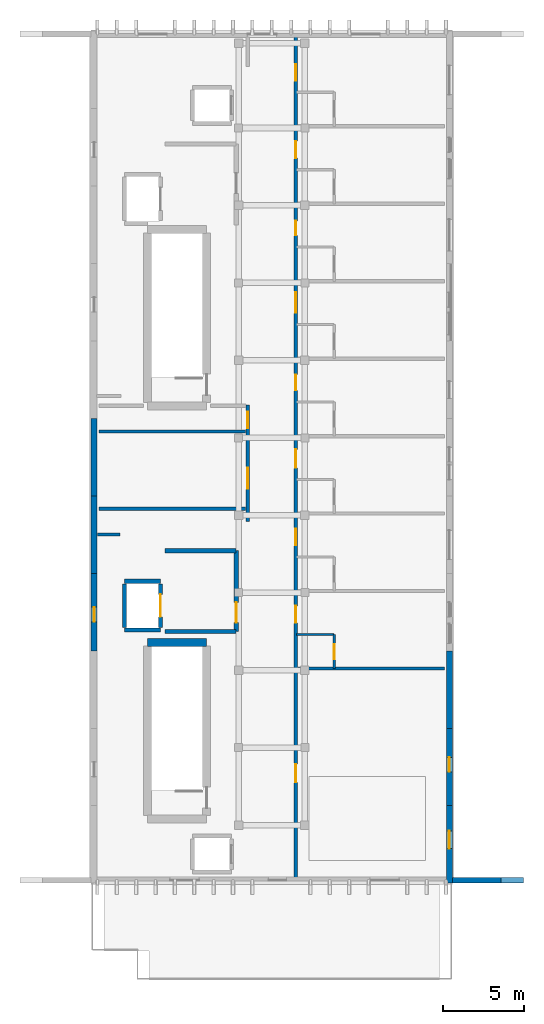
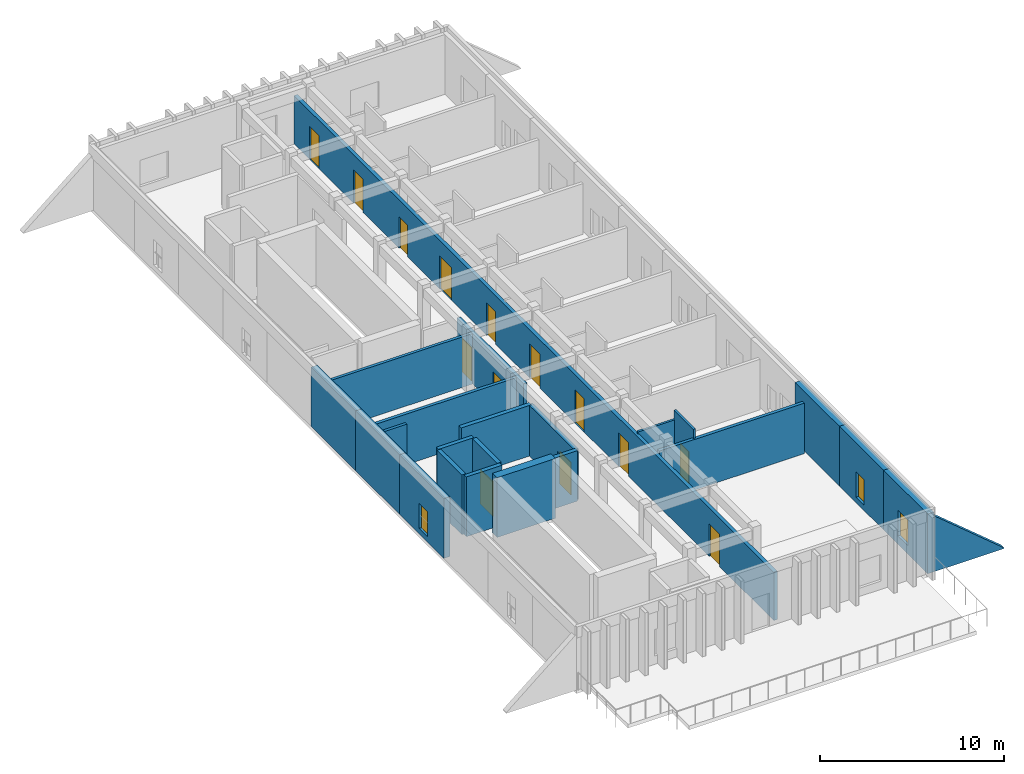
# One storey, part 2 of 7: 23 walls, 14 doors, 3 windows, 17 openings.
"""IFC4 building model written with IfcOpenShell, lengths in metres."""

import ifcopenshell
import ifcopenshell.guid

model = None  # the IFC model being written
_history = None  # IfcOwnerHistory: only IFC2X3 demands one
_inside = {}  # id of a spatial element -> (the spatial element, [elements in it])
_under = {}  # id of a project, library or spatial element -> (it, [spatial elements below it])
_declared = {}  # id of a project -> (the project, [libraries it declares])
_typed = {}  # id of a type object -> (the type object, [elements of that type])
_made_of = {}  # id of a material, layer set ... -> (it, [elements and type objects made of it])


def new_model(schema):
    """Start an empty IFC model of exactly this schema.

    Asked for "IFC4X3", IfcOpenShell would pick the latest addendum, in which some entities
    have other attributes; the version numbers below select the first issue.
    IFC2X3 requires an IfcOwnerHistory on every rooted entity: one is made here for all.
    """
    global model, _history
    if schema == "IFC4X3":
        model = ifcopenshell.file(schema_version=(4, 3, 0, 0))
    else:
        model = ifcopenshell.file(schema=schema)
    _inside.clear()
    _under.clear()
    _declared.clear()
    _typed.clear()
    _made_of.clear()
    _history = None
    if model.schema == "IFC2X3":
        org = make("IfcOrganization", Name="unknown")
        user = make(
            "IfcPersonAndOrganization",
            ThePerson=make("IfcPerson", FamilyName="unknown"),
            TheOrganization=org,
        )
        app = make(
            "IfcApplication",
            ApplicationDeveloper=org,
            Version="unknown",
            ApplicationFullName="unknown",
            ApplicationIdentifier="unknown",
        )
        _history = make(
            "IfcOwnerHistory",
            OwningUser=user,
            OwningApplication=app,
            ChangeAction="ADDED",
            CreationDate=0,
        )
    return model


def make(cls, **values):
    """One entity of the class cls with the attributes given. An attribute that is None is left unset."""
    return model.create_entity(
        cls, **{name: value for name, value in values.items() if value is not None}
    )


def rooted(cls, **values):
    """An entity with a GlobalId (a new one), such as an element, a storey or a relation."""
    return make(cls, GlobalId=ifcopenshell.guid.new(), OwnerHistory=_history, **values)


def si_unit(unit_type, name, prefix=None):
    """IfcSIUnit, for example si_unit("LENGTHUNIT", "METRE", prefix="MILLI")."""
    return make("IfcSIUnit", UnitType=unit_type, Prefix=prefix, Name=name)


def assignment(units):
    """IfcUnitAssignment: the units of a project."""
    return None if units is None else make("IfcUnitAssignment", Units=units)


def point(xyz):
    """IfcCartesianPoint."""
    return None if xyz is None else make("IfcCartesianPoint", Coordinates=xyz)


def direction(xyz):
    """IfcDirection."""
    return None if xyz is None else make("IfcDirection", DirectionRatios=xyz)


def frame(location, z_axis=None, x_axis=None):
    """IfcAxis2Placement3D, a coordinate frame: its origin and axes. An axis left out is left unset."""
    return make(
        "IfcAxis2Placement3D",
        Location=point(location),
        Axis=direction(z_axis),
        RefDirection=direction(x_axis),
    )


def frame_2d(location, x_axis=None):
    """IfcAxis2Placement2D, a coordinate frame in the plane: its origin and x axis."""
    return make(
        "IfcAxis2Placement2D", Location=point(location), RefDirection=direction(x_axis)
    )


def origin():
    """The frame at (0, 0, 0) with its axes left unset."""
    return frame((0.0, 0.0, 0.0))


def place(relative_to, where):
    """IfcLocalPlacement: puts the frame where relative to a parent placement (None: the world)."""
    return make(
        "IfcLocalPlacement", PlacementRelTo=relative_to, RelativePlacement=where
    )


def context(
    kind, dimensions, precision=None, world=None, true_north=None, identifier=None
):
    """IfcGeometricRepresentationContext, for example the 3D "Model" context."""
    return make(
        "IfcGeometricRepresentationContext",
        ContextIdentifier=identifier,
        ContextType=kind,
        CoordinateSpaceDimension=dimensions,
        Precision=precision,
        WorldCoordinateSystem=world,
        TrueNorth=true_north,
    )


def subcontext(parent, identifier, kind, view, scale=None):
    """IfcGeometricRepresentationSubContext, for example "Body" below "Model"."""
    return make(
        "IfcGeometricRepresentationSubContext",
        ContextIdentifier=identifier,
        ContextType=kind,
        ParentContext=parent,
        TargetScale=scale,
        TargetView=view,
    )


def project(units=None, contexts=None):
    """IfcProject with its units and contexts."""
    return rooted(
        "IfcProject",
        Name="project",
        RepresentationContexts=contexts,
        UnitsInContext=assignment(units),
    )


def spatial(cls, under=None, at=None, **own):
    """A site, building, storey or space (cls), placed at a placement, below another one or the project."""
    s = rooted(cls, ObjectPlacement=at, **own)
    if under is not None:
        _under.setdefault(under.id(), (under, []))[1].append(s)
    return s


def polyline(points):
    """IfcPolyline through the points."""
    return make("IfcPolyline", Points=[point(p) for p in points])


def profile(cls, at=None, kind="AREA", **sizes):
    """A parametric profile (cls). Its sizes go by their IFC names, for example OverallWidth=200.0."""
    return make(cls, ProfileType=kind, Position=at, **sizes)


def rectangle(**sizes):
    """IfcRectangleProfileDef."""
    return profile("IfcRectangleProfileDef", **sizes)


def outline(outer, holes=None, kind="AREA"):
    """IfcArbitraryClosedProfileDef: a profile drawn as a closed curve; with holes, ...WithVoids."""
    if holes is None:
        return make("IfcArbitraryClosedProfileDef", ProfileType=kind, OuterCurve=outer)
    return make(
        "IfcArbitraryProfileDefWithVoids",
        ProfileType=kind,
        OuterCurve=outer,
        InnerCurves=holes,
    )


def extrude(swept, where, along, depth):
    """IfcExtrudedAreaSolid: the profile swept, set in the frame where, extruded along a direction by depth."""
    return make(
        "IfcExtrudedAreaSolid",
        SweptArea=swept,
        Position=where,
        ExtrudedDirection=direction(along),
        Depth=depth,
    )


def shape(context_of_items, identifier, shape_type, items):
    """IfcShapeRepresentation: the items that make up one representation, for example the "Body"."""
    return make(
        "IfcShapeRepresentation",
        ContextOfItems=context_of_items,
        RepresentationIdentifier=identifier,
        RepresentationType=shape_type,
        Items=items,
    )


def material(Name=None, Category=None):
    """IfcMaterial."""
    return make("IfcMaterial", Name=Name, Category=Category)


def layer(
    of_material, thickness, ventilated=None, Name=None, Category=None, Priority=None
):
    """IfcMaterialLayer: one layer of a wall or slab, of a material (None: an air gap)."""
    return make(
        "IfcMaterialLayer",
        Material=of_material,
        LayerThickness=thickness,
        IsVentilated=ventilated,
        Name=Name,
        Category=Category,
        Priority=Priority,
    )


def layer_set(layers, Name=None):
    """IfcMaterialLayerSet."""
    return make("IfcMaterialLayerSet", MaterialLayers=layers, LayerSetName=Name)


def made_of(thing, what):
    """Note that an element or type object is made of a material, layer set ...; save() writes the relation."""
    if what is not None:
        _made_of.setdefault(what.id(), (what, []))[1].append(thing)
    return thing


def type_object(cls, material=None, **own):
    """A type object (cls), such as IfcWallType, which elements share."""
    return made_of(rooted(cls, **own), material)


def element(
    cls,
    number,
    at=None,
    inside=None,
    cuts=None,
    type_object=None,
    material=None,
    context=None,
    identifier="Body",
    shape_type=None,
    held_by="IfcProductDefinitionShape",
    body=None,
    shapes=None,
    **own,
):
    """One element of the class cls, such as IfcWall. Its Tag is "e" and its number.

    at: its placement. inside: the storey or other place that contains it. cuts: it is an
    opening in that element (IfcRelVoidsElement). A single representation is given by context,
    identifier, shape_type and body (its items); several are given by shapes. held_by: the class
    of the entity that holds the representations. save() writes the other relations.
    """
    e = rooted(cls, Tag="e%d" % number, ObjectPlacement=at, **own)
    if body is not None:
        shapes = [shape(context, identifier, shape_type, body)]
    if shapes is not None:
        e.Representation = make(held_by, Representations=shapes)
    if inside is not None:
        _inside.setdefault(inside.id(), (inside, []))[1].append(e)
    if cuts is not None:
        rooted(
            "IfcRelVoidsElement", RelatingBuildingElement=cuts, RelatedOpeningElement=e
        )
    if type_object is not None:
        _typed.setdefault(type_object.id(), (type_object, []))[1].append(e)
    return made_of(e, material)


def fill(opening, filler):
    """IfcRelFillsElement: the door or window that sits in an opening."""
    return rooted(
        "IfcRelFillsElement",
        RelatingOpeningElement=opening,
        RelatedBuildingElement=filler,
    )


def aggregate(whole, parts):
    """IfcRelAggregates: a whole, such as a stair, and the parts it consists of."""
    return rooted("IfcRelAggregates", RelatingObject=whole, RelatedObjects=parts)


def save(model, path):
    """Write the relations noted so far, then the file.

    IfcRelAggregates (storeys below a building ...), IfcRelContainedInSpatialStructure (elements
    in a storey), IfcRelDefinesByType, IfcRelAssociatesMaterial and IfcRelDeclares: one each for
    every whole, place, type object, material and project.
    """
    for whole, parts in _under.values():
        aggregate(whole, parts)
    for where, things in _inside.values():
        rooted(
            "IfcRelContainedInSpatialStructure",
            RelatedElements=things,
            RelatingStructure=where,
        )
    for kind, things in _typed.values():
        rooted("IfcRelDefinesByType", RelatedObjects=things, RelatingType=kind)
    for what, things in _made_of.values():
        rooted("IfcRelAssociatesMaterial", RelatedObjects=things, RelatingMaterial=what)
    for by, libraries in _declared.values():
        rooted("IfcRelDeclares", RelatingContext=by, RelatedDefinitions=libraries)
    model.write(path)


model = new_model("IFC4")

# Units and contexts
model_context = context("Model", 3, precision=1e-05, world=origin(), true_north=direction((0.0, 1.0)))
body_context = subcontext(model_context, "Body", "Model", "MODEL_VIEW")
ifc_project = project(units=[si_unit("LENGTHUNIT", "METRE"), si_unit("AREAUNIT", "SQUARE_METRE"), si_unit("VOLUMEUNIT", "CUBIC_METRE"), si_unit("PLANEANGLEUNIT", "RADIAN"), si_unit("MASSUNIT", "GRAM", prefix="KILO")], contexts=[model_context])

# Site, building, storey
site_placement = place(None, origin())
site = spatial("IfcSite", under=ifc_project, at=site_placement, CompositionType="ELEMENT")
building_placement = place(site_placement, origin())
building = spatial("IfcBuilding", under=site, at=building_placement, Name="Nakhvara Creek Congress Hotel", CompositionType="ELEMENT")
storey_placement = place(building_placement, frame((0.0, 0.0, 50.39990234375)))
storey = spatial("IfcBuildingStorey", under=building, at=storey_placement, Name="L12", CompositionType="ELEMENT", Elevation=50.39990234375)

# Wall
ifc_material_1 = material(Name="Concrete C50/60", Category="concrete")
ifc_layer_1 = layer(ifc_material_1, 0.5)
ifc_layer_set_1 = layer_set([ifc_layer_1], Name="Concrete C50/60")
wall_type_1 = type_object("IfcWallType", Name="W-CORE-500", PredefinedType="SHEAR", material=ifc_layer_set_1)
wall_1_placement = place(storey_placement, frame((156.699951171875, 88.1201171875, 0.0), z_axis=(0.0, 0.0, 1.0), x_axis=(1.0, 0.0, 0.0)))
element("IfcWall", 1, at=wall_1_placement, inside=storey, type_object=wall_type_1, Name="Core Shear Wall WS01-CWALL-L12-0254", PredefinedType="SHEAR", context=body_context, shape_type="SweptSolid", body=[
    extrude(rectangle(XDim=3.670166015625, YDim=0.5, at=frame_2d((1.8349609375, 0.0))), origin(), (0.0, 0.0, 1.0), 3.960205078125),
])

# Wall, openings, doors
ifc_material_2 = material(Name="Gypsum acoustic board on steel stud", Category="steel")
ifc_layer_2 = layer(ifc_material_2, 0.219970703125)
ifc_layer_set_2 = layer_set([ifc_layer_2], Name="Gypsum acoustic board on steel stud")
wall_type_2 = type_object("IfcWallType", Name="W-CORR-220", PredefinedType="PARTITIONING", material=ifc_layer_set_2)
wall_2_placement = place(storey_placement, frame((162.919921875, 95.60009765625, 0.0), z_axis=(0.0, 0.0, 1.0), x_axis=(0.0, 1.0, 0.0)))
wall_2 = element("IfcWall", 2, at=wall_2_placement, inside=storey, type_object=wall_type_2, Name="Interior Wall WP11-IW-L12-0793", PredefinedType="PARTITIONING", context=body_context, shape_type="SweptSolid", body=[
    extrude(rectangle(XDim=7.219970703125, YDim=0.219970703125, at=frame_2d((3.60986328125, 0.0))), origin(), (0.0, 0.0, 1.0), 3.35205078125),
])
opening_1_placement = place(wall_2_placement, frame((2.050048828125, 0.0, 0.0)))
opening_1 = element("IfcOpeningElement", 3, at=opening_1_placement, cuts=wall_2, Name="Opening ID07", PredefinedType="OPENING", context=body_context, shape_type="SweptSolid", body=[
    extrude(rectangle(XDim=1.280029296875, YDim=2.159912109375, at=frame_2d((0.64013671875, 1.080078125))), frame((0.0, 0.1220703125, 0.0), z_axis=(0.0, -1.0, 0.0), x_axis=(1.0, 0.0, 0.0)), (0.0, 0.0, 1.0), 0.243896484375),
])
opening_2_placement = place(wall_2_placement, frame((5.800048828125, 0.0, 0.0)))
opening_2 = element("IfcOpeningElement", 4, at=opening_2_placement, cuts=wall_2, Name="Opening GD01", PredefinedType="OPENING", context=body_context, shape_type="SweptSolid", body=[
    extrude(rectangle(XDim=1.02001953125, YDim=2.199951171875, at=frame_2d((0.510009765625, 1.10009765625))), frame((0.0, 0.1220703125, 0.0), z_axis=(0.0, -1.0, 0.0), x_axis=(1.0, 0.0, 0.0)), (0.0, 0.0, 1.0), 0.243896484375),
])
ifc_material_3 = material(Name="Brushed stainless-clad BOH door")
door_type_1 = type_object("IfcDoorType", Name="DT-BOH-128", OperationType="NOTDEFINED", PredefinedType="DOOR", material=ifc_material_3)
door_1_placement = place(opening_1_placement, frame((1.280029296875, 0.0, 0.0), z_axis=(0.0, 0.0, 1.0), x_axis=(-1.0, 0.0, 0.0)))
door_1 = element("IfcDoor", 5, at=door_1_placement, inside=storey, type_object=door_type_1, Name="Interior Door ID07-0567", OperationType="SINGLE_SWING_RIGHT", OverallHeight=2.159912109375, OverallWidth=1.280029296875, PredefinedType="DOOR", context=body_context, shape_type="SweptSolid", body=[
    extrude(rectangle(XDim=1.280029296875, YDim=2.159912109375, at=frame_2d((0.64013671875, 1.080078125))), frame((0.0, 0.02490234375, 0.0), z_axis=(0.0, -1.0, 0.0), x_axis=(1.0, 0.0, 0.0)), (0.0, 0.0, 1.0), 0.050048828125),
])
fill(opening_1, door_1)
ifc_material_4 = material(Name="Walnut hardwood timber fire door", Category="wood")
door_type_2 = type_object("IfcDoorType", Name="DT-GUEST-102", OperationType="NOTDEFINED", PredefinedType="DOOR", material=ifc_material_4)
door_2_placement = place(opening_2_placement, frame((1.02001953125, 0.0, 0.0), z_axis=(0.0, 0.0, 1.0), x_axis=(-1.0, 0.0, 0.0)))
door_2 = element("IfcDoor", 6, at=door_2_placement, inside=storey, type_object=door_type_2, Name="Interior Door GD01-0568", OperationType="SINGLE_SWING_LEFT", OverallHeight=2.199951171875, OverallWidth=1.02001953125, PredefinedType="DOOR", context=body_context, shape_type="SweptSolid", body=[
    extrude(rectangle(XDim=1.02001953125, YDim=2.199951171875, at=frame_2d((0.510009765625, 1.10009765625))), frame((0.0, 0.02490234375, 0.0), z_axis=(0.0, -1.0, 0.0), x_axis=(1.0, 0.0, 0.0)), (0.0, 0.0, 1.0), 0.050048828125),
])
fill(opening_2, door_2)

wall_3_placement = place(storey_placement, frame((165.8798828125, 73.550048828125, 0.0), z_axis=(0.0, 0.0, 1.0), x_axis=(0.0, 1.0, 0.0)))
wall_3 = element("IfcWall", 7, at=wall_3_placement, inside=storey, type_object=wall_type_2, Name="Interior Wall WP11-IW-L12-0795", PredefinedType="PARTITIONING", context=body_context, shape_type="SweptSolid", body=[
    extrude(rectangle(XDim=52.099853515625, YDim=0.219970703125, at=frame_2d((26.0498046875, 0.0))), origin(), (0.0, 0.0, 1.0), 3.2021484375),
])
opening_3_placement = place(wall_3_placement, frame((5.89990234375, 0.0, 0.0)))
opening_3 = element("IfcOpeningElement", 8, at=opening_3_placement, cuts=wall_3, Name="Opening BD01", PredefinedType="OPENING", context=body_context, shape_type="SweptSolid", body=[
    extrude(rectangle(XDim=1.1201171875, YDim=2.14990234375, at=frame_2d((0.56005859375, 1.074951171875))), frame((0.0, 0.1220703125, 0.0), z_axis=(0.0, -1.0, 0.0), x_axis=(1.0, 0.0, 0.0)), (0.0, 0.0, 1.0), 0.243896484375),
])
opening_4_placement = place(wall_3_placement, frame((15.7880859375, 0.0, 0.0)))
opening_4 = element("IfcOpeningElement", 9, at=opening_4_placement, cuts=wall_3, Name="Opening GD04", PredefinedType="OPENING", context=body_context, shape_type="SweptSolid", body=[
    extrude(rectangle(XDim=1.050048828125, YDim=2.219970703125, at=frame_2d((0.52490234375, 1.10986328125))), frame((0.0, 0.1220703125, 0.0), z_axis=(0.0, -1.0, 0.0), x_axis=(1.0, 0.0, 0.0)), (0.0, 0.0, 1.0), 0.243896484375),
])
opening_5_placement = place(wall_3_placement, frame((20.587890625, 0.0, 0.0)))
opening_5 = element("IfcOpeningElement", 10, at=opening_5_placement, cuts=wall_3, Name="Opening GD01", PredefinedType="OPENING", context=body_context, shape_type="SweptSolid", body=[
    extrude(rectangle(XDim=1.02001953125, YDim=2.199951171875, at=frame_2d((0.510009765625, 1.10009765625))), frame((0.0, 0.1220703125, 0.0), z_axis=(0.0, -1.0, 0.0), x_axis=(1.0, 0.0, 0.0)), (0.0, 0.0, 1.0), 0.243896484375),
])
opening_6_placement = place(wall_3_placement, frame((25.387939453125, 0.0, 0.0)))
opening_6 = element("IfcOpeningElement", 11, at=opening_6_placement, cuts=wall_3, Name="Opening GD05", PredefinedType="OPENING", context=body_context, shape_type="SweptSolid", body=[
    extrude(rectangle(XDim=1.139892578125, YDim=2.260009765625, at=frame_2d((0.56982421875, 1.1298828125))), frame((0.0, 0.1220703125, 0.0), z_axis=(0.0, -1.0, 0.0), x_axis=(1.0, 0.0, 0.0)), (0.0, 0.0, 1.0), 0.243896484375),
])
opening_7_placement = place(wall_3_placement, frame((30.18798828125, 0.0, 0.0)))
opening_7 = element("IfcOpeningElement", 12, at=opening_7_placement, cuts=wall_3, Name="Opening MD03", PredefinedType="OPENING", context=body_context, shape_type="SweptSolid", body=[
    extrude(rectangle(XDim=0.97998046875, YDim=2.14990234375, at=frame_2d((0.489990234375, 1.074951171875))), frame((0.0, 0.1220703125, 0.0), z_axis=(0.0, -1.0, 0.0), x_axis=(1.0, 0.0, 0.0)), (0.0, 0.0, 1.0), 0.243896484375),
])
opening_8_placement = place(wall_3_placement, frame((34.988037109375, 0.0, 0.0)))
opening_8 = element("IfcOpeningElement", 13, at=opening_8_placement, cuts=wall_3, Name="Opening ID07", PredefinedType="OPENING", context=body_context, shape_type="SweptSolid", body=[
    extrude(rectangle(XDim=1.280029296875, YDim=2.159912109375, at=frame_2d((0.64013671875, 1.080078125))), frame((0.0, 0.1220703125, 0.0), z_axis=(0.0, -1.0, 0.0), x_axis=(1.0, 0.0, 0.0)), (0.0, 0.0, 1.0), 0.243896484375),
])
opening_9_placement = place(wall_3_placement, frame((39.7880859375, 0.0, 0.0)))
opening_9 = element("IfcOpeningElement", 14, at=opening_9_placement, cuts=wall_3, Name="Opening ID03", PredefinedType="OPENING", context=body_context, shape_type="SweptSolid", body=[
    extrude(rectangle(XDim=0.89990234375, YDim=2.080078125, at=frame_2d((0.449951171875, 1.0400390625))), frame((0.0, 0.1220703125, 0.0), z_axis=(0.0, -1.0, 0.0), x_axis=(1.0, 0.0, 0.0)), (0.0, 0.0, 1.0), 0.243896484375),
])
opening_10_placement = place(wall_3_placement, frame((44.587890625, 0.0, 0.0)))
opening_10 = element("IfcOpeningElement", 15, at=opening_10_placement, cuts=wall_3, Name="Opening GD04", PredefinedType="OPENING", context=body_context, shape_type="SweptSolid", body=[
    extrude(rectangle(XDim=1.050048828125, YDim=2.219970703125, at=frame_2d((0.52490234375, 1.10986328125))), frame((0.0, 0.1220703125, 0.0), z_axis=(0.0, -1.0, 0.0), x_axis=(1.0, 0.0, 0.0)), (0.0, 0.0, 1.0), 0.243896484375),
])
opening_11_placement = place(wall_3_placement, frame((49.387939453125, 0.0, 0.0)))
opening_11 = element("IfcOpeningElement", 16, at=opening_11_placement, cuts=wall_3, Name="Opening GD01", PredefinedType="OPENING", context=body_context, shape_type="SweptSolid", body=[
    extrude(rectangle(XDim=1.02001953125, YDim=2.199951171875, at=frame_2d((0.510009765625, 1.10009765625))), frame((0.0, 0.1220703125, 0.0), z_axis=(0.0, -1.0, 0.0), x_axis=(1.0, 0.0, 0.0)), (0.0, 0.0, 1.0), 0.243896484375),
])
door_3_placement = place(opening_8_placement, origin())
door_3 = element("IfcDoor", 17, at=door_3_placement, inside=storey, type_object=door_type_1, Name="Interior Door ID07-0577", OperationType="SINGLE_SWING_RIGHT", OverallHeight=2.159912109375, OverallWidth=1.280029296875, PredefinedType="DOOR", context=body_context, shape_type="SweptSolid", body=[
    extrude(rectangle(XDim=1.280029296875, YDim=2.159912109375, at=frame_2d((0.64013671875, 1.080078125))), frame((0.0, 0.02490234375, 0.0), z_axis=(0.0, -1.0, 0.0), x_axis=(1.0, 0.0, 0.0)), (0.0, 0.0, 1.0), 0.050048828125),
])
fill(opening_8, door_3)
door_4_placement = place(opening_5_placement, origin())
door_4 = element("IfcDoor", 18, at=door_4_placement, inside=storey, type_object=door_type_2, Name="Interior Door GD01-0571", OperationType="SINGLE_SWING_RIGHT", OverallHeight=2.199951171875, OverallWidth=1.02001953125, PredefinedType="DOOR", context=body_context, shape_type="SweptSolid", body=[
    extrude(rectangle(XDim=1.02001953125, YDim=2.199951171875, at=frame_2d((0.510009765625, 1.10009765625))), frame((0.0, 0.02490234375, 0.0), z_axis=(0.0, -1.0, 0.0), x_axis=(1.0, 0.0, 0.0)), (0.0, 0.0, 1.0), 0.050048828125),
])
fill(opening_5, door_4)
door_5_placement = place(opening_11_placement, origin())
door_5 = element("IfcDoor", 19, at=door_5_placement, inside=storey, type_object=door_type_2, Name="Interior Door GD01-0583", OperationType="SINGLE_SWING_RIGHT", OverallHeight=2.199951171875, OverallWidth=1.02001953125, PredefinedType="DOOR", context=body_context, shape_type="SweptSolid", body=[
    extrude(rectangle(XDim=1.02001953125, YDim=2.199951171875, at=frame_2d((0.510009765625, 1.10009765625))), frame((0.0, 0.02490234375, 0.0), z_axis=(0.0, -1.0, 0.0), x_axis=(1.0, 0.0, 0.0)), (0.0, 0.0, 1.0), 0.050048828125),
])
fill(opening_11, door_5)
door_type_3 = type_object("IfcDoorType", Name="DT-GUEST-105", OperationType="NOTDEFINED", PredefinedType="DOOR", material=ifc_material_4)
door_6_placement = place(opening_4_placement, origin())
door_6 = element("IfcDoor", 20, at=door_6_placement, inside=storey, type_object=door_type_3, Name="Interior Door GD04-0569", OperationType="SINGLE_SWING_RIGHT", OverallHeight=2.219970703125, OverallWidth=1.050048828125, PredefinedType="DOOR", context=body_context, shape_type="SweptSolid", body=[
    extrude(rectangle(XDim=1.050048828125, YDim=2.219970703125, at=frame_2d((0.52490234375, 1.10986328125))), frame((0.0, 0.02490234375, 0.0), z_axis=(0.0, -1.0, 0.0), x_axis=(1.0, 0.0, 0.0)), (0.0, 0.0, 1.0), 0.050048828125),
])
fill(opening_4, door_6)
door_7_placement = place(opening_10_placement, origin())
door_7 = element("IfcDoor", 21, at=door_7_placement, inside=storey, type_object=door_type_3, Name="Interior Door GD04-0581", OperationType="SINGLE_SWING_RIGHT", OverallHeight=2.219970703125, OverallWidth=1.050048828125, PredefinedType="DOOR", context=body_context, shape_type="SweptSolid", body=[
    extrude(rectangle(XDim=1.050048828125, YDim=2.219970703125, at=frame_2d((0.52490234375, 1.10986328125))), frame((0.0, 0.02490234375, 0.0), z_axis=(0.0, -1.0, 0.0), x_axis=(1.0, 0.0, 0.0)), (0.0, 0.0, 1.0), 0.050048828125),
])
fill(opening_10, door_7)
door_type_4 = type_object("IfcDoorType", Name="DT-GUEST-114", OperationType="NOTDEFINED", PredefinedType="DOOR", material=ifc_material_4)
door_8_placement = place(opening_6_placement, origin())
door_8 = element("IfcDoor", 22, at=door_8_placement, inside=storey, type_object=door_type_4, Name="Interior Door GD05-0573", OperationType="SINGLE_SWING_RIGHT", OverallHeight=2.260009765625, OverallWidth=1.139892578125, PredefinedType="DOOR", context=body_context, shape_type="SweptSolid", body=[
    extrude(rectangle(XDim=1.139892578125, YDim=2.260009765625, at=frame_2d((0.56982421875, 1.1298828125))), frame((0.0, 0.02490234375, 0.0), z_axis=(0.0, -1.0, 0.0), x_axis=(1.0, 0.0, 0.0)), (0.0, 0.0, 1.0), 0.050048828125),
])
fill(opening_6, door_8)
ifc_material_5 = material(Name="Hardwood-faced service fire door", Category="wood")
door_type_5 = type_object("IfcDoorType", Name="DT-HK-112", OperationType="NOTDEFINED", PredefinedType="DOOR", material=ifc_material_5)
door_9_placement = place(opening_3_placement, origin())
door_9 = element("IfcDoor", 23, at=door_9_placement, inside=storey, type_object=door_type_5, Name="Interior Door BD01-0566", OperationType="SINGLE_SWING_LEFT", OverallHeight=2.14990234375, OverallWidth=1.1201171875, PredefinedType="DOOR", context=body_context, shape_type="SweptSolid", body=[
    extrude(rectangle(XDim=1.1201171875, YDim=2.14990234375, at=frame_2d((0.56005859375, 1.074951171875))), frame((0.0, 0.02490234375, 0.0), z_axis=(0.0, -1.0, 0.0), x_axis=(1.0, 0.0, 0.0)), (0.0, 0.0, 1.0), 0.050048828125),
])
fill(opening_3, door_9)
ifc_material_6 = material(Name="Acoustic ISO 2603 sound-lock timber door", Category="wood")
door_type_6 = type_object("IfcDoorType", Name="DT-ISO-098", OperationType="NOTDEFINED", PredefinedType="DOOR", material=ifc_material_6)
door_10_placement = place(opening_7_placement, origin())
door_10 = element("IfcDoor", 24, at=door_10_placement, inside=storey, type_object=door_type_6, Name="Interior Door MD03-0575", OperationType="SINGLE_SWING_RIGHT", OverallHeight=2.14990234375, OverallWidth=0.97998046875, PredefinedType="DOOR", context=body_context, shape_type="SweptSolid", body=[
    extrude(rectangle(XDim=0.97998046875, YDim=2.14990234375, at=frame_2d((0.489990234375, 1.074951171875))), frame((0.0, 0.02490234375, 0.0), z_axis=(0.0, -1.0, 0.0), x_axis=(1.0, 0.0, 0.0)), (0.0, 0.0, 1.0), 0.050048828125),
])
fill(opening_7, door_10)
ifc_material_7 = material(Name="Moisture-resistant laminate timber door", Category="wood")
door_type_7 = type_object("IfcDoorType", Name="DT-WC-090", OperationType="NOTDEFINED", PredefinedType="DOOR", material=ifc_material_7)
door_11_placement = place(opening_9_placement, origin())
door_11 = element("IfcDoor", 25, at=door_11_placement, inside=storey, type_object=door_type_7, Name="Interior Door ID03-0579", OperationType="SINGLE_SWING_RIGHT", OverallHeight=2.080078125, OverallWidth=0.89990234375, PredefinedType="DOOR", context=body_context, shape_type="SweptSolid", body=[
    extrude(rectangle(XDim=0.89990234375, YDim=2.080078125, at=frame_2d((0.449951171875, 1.0400390625))), frame((0.0, 0.02490234375, 0.0), z_axis=(0.0, -1.0, 0.0), x_axis=(1.0, 0.0, 0.0)), (0.0, 0.0, 1.0), 0.050048828125),
])
fill(opening_9, door_11)

# Wall, opening, door
ifc_material_8 = material(Name="Moisture-resistant gypsum board partition")
ifc_layer_3 = layer(ifc_material_8, 0.139892578125)
ifc_layer_set_3 = layer_set([ifc_layer_3], Name="Moisture-resistant gypsum board partition")
wall_type_3 = type_object("IfcWallType", Name="W-ENS-140", PredefinedType="PARTITIONING", material=ifc_layer_set_3)
wall_4_placement = place(storey_placement, frame((168.27001953125, 86.5, 0.0), z_axis=(0.0, 0.0, 1.0), x_axis=(0.0, 1.0, 0.0)))
wall_4 = element("IfcWall", 26, at=wall_4_placement, inside=storey, type_object=wall_type_3, Name="Interior Wall WP15-IW-L12-0803", PredefinedType="PARTITIONING", context=body_context, shape_type="SweptSolid", body=[
    extrude(rectangle(XDim=2.115966796875, YDim=0.139892578125, at=frame_2d((1.05810546875, 0.0))), origin(), (0.0, 0.0, 1.0), 3.960205078125),
])
opening_12_placement = place(wall_4_placement, frame((0.5830078125, 0.0, 0.0)))
opening_12 = element("IfcOpeningElement", 27, at=opening_12_placement, cuts=wall_4, Name="Opening ID01", PredefinedType="OPENING", context=body_context, shape_type="SweptSolid", body=[
    extrude(rectangle(XDim=0.919921875, YDim=2.10009765625, at=frame_2d((0.4599609375, 1.050048828125))), frame((0.0, 0.08203125, 0.0), z_axis=(0.0, -1.0, 0.0), x_axis=(1.0, 0.0, 0.0)), (0.0, 0.0, 1.0), 0.163818359375),
])
ifc_material_9 = material(Name="Moisture-resistant walnut timber door", Category="wood")
door_type_8 = type_object("IfcDoorType", Name="DT-ENS-092", OperationType="NOTDEFINED", PredefinedType="DOOR", material=ifc_material_9)
door_12_placement = place(opening_12_placement, frame((0.919921875, 0.0, 0.0), z_axis=(0.0, 0.0, 1.0), x_axis=(-1.0, 0.0, 0.0)))
door_12 = element("IfcDoor", 28, at=door_12_placement, inside=storey, type_object=door_type_8, Name="Interior Door ID01-0570", OperationType="SINGLE_SWING_LEFT", OverallHeight=2.10009765625, OverallWidth=0.919921875, PredefinedType="DOOR", context=body_context, shape_type="SweptSolid", body=[
    extrude(rectangle(XDim=0.919921875, YDim=2.10009765625, at=frame_2d((0.4599609375, 1.050048828125))), frame((0.0, 0.02490234375, 0.0), z_axis=(0.0, -1.0, 0.0), x_axis=(1.0, 0.0, 0.0)), (0.0, 0.0, 1.0), 0.050048828125),
])
fill(opening_12, door_12)

# Wall
wall_5_placement = place(storey_placement, frame((165.919921875, 88.615966796875, 0.0), z_axis=(0.0, 0.0, 1.0), x_axis=(1.0, 0.0, 0.0)))
element("IfcWall", 29, at=wall_5_placement, inside=storey, type_object=wall_type_3, Name="Interior Wall WP15-IW-L12-0804", PredefinedType="PARTITIONING", context=body_context, shape_type="SweptSolid", body=[
    extrude(rectangle(XDim=2.35009765625, YDim=0.139892578125, at=frame_2d((1.175048828125, 0.0))), origin(), (0.0, 0.0, 1.0), 3.35205078125),
])

# Wall, opening, window
ifc_material_10 = material(Name="Honed pale Omani limestone cladding", Category="masonry")
ifc_layer_4 = layer(ifc_material_10, 0.050048828125)
ifc_material_11 = material(Name="Mineral wool thermal insulation")
ifc_layer_5 = layer(ifc_material_11, 0.110107421875)
ifc_material_12 = material(Name="Precast concrete C40/50", Category="concrete")
ifc_layer_6 = layer(ifc_material_12, 0.219970703125)
ifc_layer_set_4 = layer_set([ifc_layer_4, ifc_layer_5, ifc_layer_6], Name="Precast concrete C40/50")
wall_type_4 = type_object("IfcWallType", Name="W-EXT-380", PredefinedType="SOLIDWALL", material=ifc_layer_set_4)
wall_6_placement = place(storey_placement, frame((175.409912109375, 78.0, 0.0), z_axis=(0.0, 0.0, 1.0), x_axis=(0.0, -1.0, 0.0)))
wall_6 = element("IfcWall", 30, at=wall_6_placement, inside=storey, type_object=wall_type_4, Name="Exterior Wall WE03-EW-L12-0233", PredefinedType="SOLIDWALL", context=body_context, shape_type="SweptSolid", body=[
    extrude(rectangle(XDim=4.800048828125, YDim=0.3798828125, at=frame_2d((2.39990234375, 0.0))), origin(), (0.0, 0.0, 1.0), 3.960205078125),
])
opening_13_placement = place(wall_6_placement, frame((1.56494140625, 0.0, 0.550048828125)))
opening_13 = element("IfcOpeningElement", 31, at=opening_13_placement, cuts=wall_6, Name="Opening WN0267", PredefinedType="OPENING", context=body_context, shape_type="SweptSolid", body=[
    extrude(rectangle(XDim=1.10009765625, YDim=1.699951171875, at=frame_2d((0.550048828125, 0.85009765625))), frame((0.0, 0.201904296875, 0.0), z_axis=(0.0, -1.0, 0.0), x_axis=(1.0, 0.0, 0.0)), (0.0, 0.0, 1.0), 0.40380859375),
])
ifc_material_13 = material(Name="Thermally broken bronze-anodised aluminium and double-silver low-E insulated glass", Category="aluminium")
window_type_1 = type_object("IfcWindowType", Name="WN-LAN-110X215", PartitioningType="SINGLE_PANEL", PredefinedType="WINDOW", material=ifc_material_13)
window_1_placement = place(opening_13_placement, origin())
window_1 = element("IfcWindow", 32, at=window_1_placement, inside=storey, type_object=window_type_1, Name="Facade Window WN0267", OverallHeight=1.699951171875, OverallWidth=1.10009765625, PartitioningType="SINGLE_PANEL", PredefinedType="WINDOW", context=body_context, shape_type="SweptSolid", body=[
    extrude(rectangle(XDim=1.10009765625, YDim=1.699951171875, at=frame_2d((0.550048828125, 0.85009765625))), frame((0.0, 0.030029296875, 0.0), z_axis=(0.0, -1.0, 0.0), x_axis=(1.0, 0.0, 0.0)), (0.0, 0.0, 1.0), 0.06005859375),
])
fill(opening_13, window_1)

wall_7_placement = place(storey_placement, frame((175.409912109375, 82.800048828125, 0.0), z_axis=(0.0, 0.0, 1.0), x_axis=(0.0, -1.0, 0.0)))
wall_7 = element("IfcWall", 33, at=wall_7_placement, inside=storey, type_object=wall_type_4, Name="Exterior Wall WE03-EW-L12-0235", PredefinedType="SOLIDWALL", context=body_context, shape_type="SweptSolid", body=[
    extrude(rectangle(XDim=4.800048828125, YDim=0.3798828125, at=frame_2d((2.39990234375, 0.0))), origin(), (0.0, 0.0, 1.0), 3.960205078125),
])
opening_14_placement = place(wall_7_placement, frame((1.800048828125, 0.0, 0.35009765625)))
opening_14 = element("IfcOpeningElement", 34, at=opening_14_placement, cuts=wall_7, Name="Opening WN0258", PredefinedType="OPENING", context=body_context, shape_type="SweptSolid", body=[
    extrude(rectangle(XDim=0.89990234375, YDim=1.679931640625, at=frame_2d((0.449951171875, 0.83984375))), frame((0.0, 0.201904296875, 0.0), z_axis=(0.0, -1.0, 0.0), x_axis=(1.0, 0.0, 0.0)), (0.0, 0.0, 1.0), 0.40380859375),
])
window_type_2 = type_object("IfcWindowType", Name="WN-LAN-090X210", PartitioningType="SINGLE_PANEL", PredefinedType="WINDOW", material=ifc_material_13)
window_2_placement = place(opening_14_placement, origin())
window_2 = element("IfcWindow", 35, at=window_2_placement, inside=storey, type_object=window_type_2, Name="Facade Window WN0258", OverallHeight=1.679931640625, OverallWidth=0.89990234375, PartitioningType="SINGLE_PANEL", PredefinedType="WINDOW", context=body_context, shape_type="SweptSolid", body=[
    extrude(rectangle(XDim=0.89990234375, YDim=1.679931640625, at=frame_2d((0.449951171875, 0.83984375))), frame((0.0, 0.030029296875, 0.0), z_axis=(0.0, -1.0, 0.0), x_axis=(1.0, 0.0, 0.0)), (0.0, 0.0, 1.0), 0.06005859375),
])
fill(opening_14, window_2)

# Wall
wall_8_placement = place(storey_placement, frame((175.409912109375, 87.60009765625, 0.0), z_axis=(0.0, 0.0, 1.0), x_axis=(0.0, -1.0, 0.0)))
element("IfcWall", 36, at=wall_8_placement, inside=storey, type_object=wall_type_4, Name="Exterior Wall WE03-EW-L12-0237", PredefinedType="SOLIDWALL", context=body_context, shape_type="SweptSolid", body=[
    extrude(rectangle(XDim=4.800048828125, YDim=0.3798828125, at=frame_2d((2.39990234375, 0.0))), origin(), (0.0, 0.0, 1.0), 3.960205078125),
])

# Wall, opening, window
wall_9_placement = place(storey_placement, frame((153.389892578125, 87.60009765625, 0.0), z_axis=(0.0, 0.0, 1.0), x_axis=(0.0, 1.0, 0.0)))
wall_9 = element("IfcWall", 37, at=wall_9_placement, inside=storey, type_object=wall_type_4, Name="Exterior Wall WE03-EW-L12-0240", PredefinedType="SOLIDWALL", context=body_context, shape_type="SweptSolid", body=[
    extrude(rectangle(XDim=4.7998046875, YDim=0.3798828125, at=frame_2d((2.39990234375, 0.0))), origin(), (0.0, 0.0, 1.0), 3.960205078125),
])
opening_15_placement = place(wall_9_placement, frame((1.800048828125, 0.0, 0.35009765625)))
opening_15 = element("IfcOpeningElement", 38, at=opening_15_placement, cuts=wall_9, Name="Opening WN0261", PredefinedType="OPENING", context=body_context, shape_type="SweptSolid", body=[
    extrude(rectangle(XDim=0.89990234375, YDim=1.679931640625, at=frame_2d((0.449951171875, 0.83984375))), frame((0.0, 0.201904296875, 0.0), z_axis=(0.0, -1.0, 0.0), x_axis=(1.0, 0.0, 0.0)), (0.0, 0.0, 1.0), 0.40380859375),
])
window_3_placement = place(opening_15_placement, origin())
window_3 = element("IfcWindow", 39, at=window_3_placement, inside=storey, type_object=window_type_2, Name="Facade Window WN0261", OverallHeight=1.679931640625, OverallWidth=0.89990234375, PartitioningType="SINGLE_PANEL", PredefinedType="WINDOW", context=body_context, shape_type="SweptSolid", body=[
    extrude(rectangle(XDim=0.89990234375, YDim=1.679931640625, at=frame_2d((0.449951171875, 0.83984375))), frame((0.0, 0.030029296875, 0.0), z_axis=(0.0, -1.0, 0.0), x_axis=(1.0, 0.0, 0.0)), (0.0, 0.0, 1.0), 0.06005859375),
])
fill(opening_15, window_3)

# Walls
for number, where, z_axis, x_axis, name in (
    (40, (153.389892578125, 92.39990234375, 0.0), (0.0, 0.0, 1.0), (0.0, 1.0, 0.0), "Exterior Wall WE03-EW-L12-0242"),
    (41, (153.389892578125, 97.199951171875, 0.0), (0.0, 0.0, 1.0), (0.0, 1.0, 0.0), "Exterior Wall WE03-EW-L12-0244"),
):
    element("IfcWall", number, at=place(storey_placement, frame(where, z_axis=z_axis, x_axis=x_axis)), inside=storey, type_object=wall_type_4, Name=name, PredefinedType="SOLIDWALL", context=body_context, shape_type="SweptSolid", body=[
        extrude(rectangle(XDim=4.800048828125, YDim=0.3798828125, at=frame_2d((2.39990234375, 0.0))), origin(), (0.0, 0.0, 1.0), 3.960205078125),
    ])

# Wall, opening, door
ifc_material_14 = material(Name="Concrete C40/50", Category="concrete")
ifc_layer_7 = layer(ifc_material_14, 0.260009765625)
ifc_layer_set_5 = layer_set([ifc_layer_7], Name="Concrete C40/50")
wall_type_5 = type_object("IfcWallType", Name="W-FFL-260", PredefinedType="SOLIDWALL", material=ifc_layer_set_5)
wall_10_placement = place(storey_placement, frame((162.199951171875, 88.800048828125, 0.0), z_axis=(0.0, 0.0, 1.0), x_axis=(0.0, 1.0, 0.0)))
wall_10 = element("IfcWall", 42, at=wall_10_placement, inside=storey, type_object=wall_type_5, Name="Core Shear Wall WI03-CWALL-L12-0265", PredefinedType="SOLIDWALL", context=body_context, shape_type="SweptSolid", body=[
    extrude(rectangle(XDim=5.0, YDim=0.260009765625, at=frame_2d((2.5, 0.0))), origin(), (0.0, 0.0, 1.0), 3.35205078125),
])
opening_16_placement = place(wall_10_placement, frame((0.550048828125, 0.0, 0.0)))
opening_16 = element("IfcOpeningElement", 43, at=opening_16_placement, cuts=wall_10, Name="Opening FD05", PredefinedType="OPENING", context=body_context, shape_type="SweptSolid", body=[
    extrude(rectangle(XDim=1.25, YDim=2.14990234375, at=frame_2d((0.625, 1.074951171875))), frame((0.0, 0.14208984375, 0.0), z_axis=(0.0, -1.0, 0.0), x_axis=(1.0, 0.0, 0.0)), (0.0, 0.0, 1.0), 0.283935546875),
])
ifc_material_15 = material(Name="Hardwood-veneered steel fire door", Category="steel")
door_type_9 = type_object("IfcDoorType", Name="DT-FFL-125", OperationType="NOTDEFINED", PredefinedType="DOOR", material=ifc_material_15)
door_13_placement = place(opening_16_placement, origin())
door_13 = element("IfcDoor", 44, at=door_13_placement, inside=storey, type_object=door_type_9, Name="Firefighting Lobby Door C1-L12", OperationType="DOUBLE_DOOR_SINGLE_SWING", OverallHeight=2.14990234375, OverallWidth=1.25, PredefinedType="DOOR", context=body_context, shape_type="SweptSolid", body=[
    extrude(rectangle(XDim=1.25, YDim=2.14990234375, at=frame_2d((0.625, 1.074951171875))), frame((0.0, 0.02490234375, 0.0), z_axis=(0.0, -1.0, 0.0), x_axis=(1.0, 0.0, 0.0)), (0.0, 0.0, 1.0), 0.050048828125),
])
fill(opening_16, door_13)

# Walls
for number, where, z_axis, x_axis, name in (
    (45, (157.800048828125, 88.800048828125, 0.0), (0.0, 0.0, 1.0), (1.0, 0.0, 0.0), "Core Shear Wall WI03-CWALL-L12-0266"),
    (46, (157.800048828125, 93.800048828125, 0.0), (0.0, 0.0, 1.0), (1.0, 0.0, 0.0), "Core Shear Wall WI03-CWALL-L12-0267"),
):
    element("IfcWall", number, at=place(storey_placement, frame(where, z_axis=z_axis, x_axis=x_axis)), inside=storey, type_object=wall_type_5, Name=name, PredefinedType="SOLIDWALL", context=body_context, shape_type="SweptSolid", body=[
        extrude(rectangle(XDim=4.39990234375, YDim=0.260009765625, at=frame_2d((2.199951171875, 0.0))), origin(), (0.0, 0.0, 1.0), 3.35205078125),
    ])
ifc_layer_8 = layer(ifc_material_10, 0.050048828125)
ifc_layer_9 = layer(ifc_material_11, 0.110107421875)
ifc_layer_10 = layer(ifc_material_12, 0.199951171875)
ifc_layer_set_6 = layer_set([ifc_layer_8, ifc_layer_9, ifc_layer_10], Name="Precast concrete C40/50")
wall_type_6 = type_object("IfcWallType", Name="W-GABLE-360", PredefinedType="SOLIDWALL", material=ifc_layer_set_6)
wall_11_placement = place(storey_placement, frame((175.60009765625, 73.3798828125, 0.0), z_axis=(0.0, 0.0, 1.0), x_axis=(1.0, 0.0, 0.0)))
element("IfcWall", 47, at=wall_11_placement, inside=storey, type_object=wall_type_6, Name="Exterior Wall WE05-EW-L12-0256", PredefinedType="SOLIDWALL", context=body_context, shape_type="SweptSolid", body=[
    extrude(outline(polyline([(0.0, 0.0), (4.39990234375, 0.0), (4.39990234375, 0.050048828125), (0.0, 3.72314453125), (0.0, 0.0)])), frame((0.0, 0.18017578125, 0.0), z_axis=(0.0, -1.0, 0.0), x_axis=(1.0, 0.0, 0.0)), (0.0, 0.0, 1.0), 0.360107421875),
])
ifc_layer_11 = layer(ifc_material_2, 0.179931640625)
ifc_layer_set_7 = layer_set([ifc_layer_11], Name="Gypsum acoustic board on steel stud")
wall_type_7 = type_object("IfcWallType", Name="W-MEET-180", PredefinedType="PARTITIONING", material=ifc_layer_set_7)
wall_12_placement = place(storey_placement, frame((153.699951171875, 101.199951171875, 0.0), z_axis=(0.0, 0.0, 1.0), x_axis=(1.0, 0.0, 0.0)))
element("IfcWall", 48, at=wall_12_placement, inside=storey, type_object=wall_type_7, Name="Interior Wall WP13-IW-L12-0797", PredefinedType="PARTITIONING", context=body_context, shape_type="SweptSolid", body=[
    extrude(rectangle(XDim=9.080078125, YDim=0.179931640625, at=frame_2d((4.5400390625, 0.0))), origin(), (0.0, 0.0, 1.0), 3.35205078125),
])
wall_13_placement = place(storey_placement, frame((153.60009765625, 94.800048828125, 0.0), z_axis=(0.0, 0.0, 1.0), x_axis=(1.0, 0.0, 0.0)))
element("IfcWall", 49, at=wall_13_placement, inside=storey, type_object=wall_type_7, Name="Interior Wall WP13-IW-L12-0800", PredefinedType="PARTITIONING", context=body_context, shape_type="SweptSolid", body=[
    extrude(rectangle(XDim=1.39990234375, YDim=0.179931640625, at=frame_2d((0.699951171875, 0.0))), origin(), (0.0, 0.0, 1.0), 3.960205078125),
])
ifc_layer_12 = layer(ifc_material_2, 0.199951171875)
ifc_layer_set_8 = layer_set([ifc_layer_12], Name="Gypsum acoustic board on steel stud")
wall_type_8 = type_object("IfcWallType", Name="W-PART-200", PredefinedType="PARTITIONING", material=ifc_layer_set_8)
for number, where, z_axis, x_axis, name in (
    (50, (153.699951171875, 96.39990234375, 0.0), (0.0, 0.0, 1.0), (1.0, 0.0, 0.0), "Interior Wall WP12-IW-L12-0796"),
    (51, (166.02001953125, 86.5, 0.0), (0.0, 0.0, 1.0), (1.0, 0.0, 0.0), "Interior Wall WP12-IW-L12-0802"),
):
    element("IfcWall", number, at=place(storey_placement, frame(where, z_axis=z_axis, x_axis=x_axis)), inside=storey, type_object=wall_type_8, Name=name, PredefinedType="PARTITIONING", context=body_context, shape_type="SweptSolid", body=[
        extrude(rectangle(XDim=9.080078125, YDim=0.199951171875, at=frame_2d((4.5400390625, 0.0))), origin(), (0.0, 0.0, 1.0), 3.35205078125),
    ])
ifc_layer_13 = layer(ifc_material_14, 0.25)
ifc_layer_set_9 = layer_set([ifc_layer_13], Name="Concrete C40/50")
wall_type_9 = type_object("IfcWallType", Name="W-SHAFT-250", PredefinedType="SOLIDWALL", material=ifc_layer_set_9)
for number, where, z_axis, x_axis, name in (
    (52, (155.2900390625, 88.889892578125, 0.0), (0.0, 0.0, 1.0), (1.0, 0.0, 0.0), "Core Shear Wall WI02-CWALL-L12-0257"),
    (53, (155.2900390625, 91.909912109375, 0.0), (0.0, 0.0, 1.0), (1.0, 0.0, 0.0), "Core Shear Wall WI02-CWALL-L12-0258"),
):
    element("IfcWall", number, at=place(storey_placement, frame(where, z_axis=z_axis, x_axis=x_axis)), inside=storey, type_object=wall_type_9, Name=name, PredefinedType="SOLIDWALL", context=body_context, shape_type="SweptSolid", body=[
        extrude(rectangle(XDim=2.219970703125, YDim=0.25, at=frame_2d((1.10986328125, 0.0))), origin(), (0.0, 0.0, 1.0), 3.960205078125),
    ])
wall_14_placement = place(storey_placement, frame((155.2900390625, 89.050048828125, 0.0), z_axis=(0.0, 0.0, 1.0), x_axis=(0.0, 1.0, 0.0)))
element("IfcWall", 54, at=wall_14_placement, inside=storey, type_object=wall_type_9, Name="Core Shear Wall WI02-CWALL-L12-0259", PredefinedType="SOLIDWALL", context=body_context, shape_type="SweptSolid", body=[
    extrude(rectangle(XDim=2.699951171875, YDim=0.25, at=frame_2d((1.35009765625, 0.0))), origin(), (0.0, 0.0, 1.0), 3.960205078125),
])

# Wall, opening, door
wall_15_placement = place(storey_placement, frame((157.510009765625, 89.050048828125, 0.0), z_axis=(0.0, 0.0, 1.0), x_axis=(0.0, 1.0, 0.0)))
wall_15 = element("IfcWall", 55, at=wall_15_placement, inside=storey, type_object=wall_type_9, Name="Core Shear Wall WI02-CWALL-L12-0260", PredefinedType="SOLIDWALL", context=body_context, shape_type="SweptSolid", body=[
    extrude(rectangle(XDim=2.699951171875, YDim=0.25, at=frame_2d((1.35009765625, 0.0))), origin(), (0.0, 0.0, 1.0), 3.960205078125),
])
opening_17_placement = place(wall_15_placement, frame((0.64990234375, 0.0, 0.0)))
opening_17 = element("IfcOpeningElement", 56, at=opening_17_placement, cuts=wall_15, Name="Opening LD02", PredefinedType="OPENING", context=body_context, shape_type="SweptSolid", body=[
    extrude(rectangle(XDim=1.39990234375, YDim=2.300048828125, at=frame_2d((0.699951171875, 1.14990234375))), frame((0.0, 0.136962890625, 0.0), z_axis=(0.0, -1.0, 0.0), x_axis=(1.0, 0.0, 0.0)), (0.0, 0.0, 1.0), 0.27392578125),
])
ifc_material_16 = material(Name="Brushed stainless steel heavy goods landing door", Category="steel")
door_type_10 = type_object("IfcDoorType", Name="DT-LIFT-140", OperationType="DOUBLE_DOOR_SLIDING", PredefinedType="DOOR", material=ifc_material_16)
door_14_placement = place(opening_17_placement, origin())
door_14 = element("IfcDoor", 57, at=door_14_placement, inside=storey, type_object=door_type_10, Name="Landing Door FFL1-L12", OperationType="SLIDING_TO_LEFT", OverallHeight=2.300048828125, OverallWidth=1.39990234375, PredefinedType="DOOR", context=body_context, shape_type="SweptSolid", body=[
    extrude(rectangle(XDim=1.39990234375, YDim=2.300048828125, at=frame_2d((0.699951171875, 1.14990234375))), frame((0.0, 0.02490234375, 0.0), z_axis=(0.0, -1.0, 0.0), x_axis=(1.0, 0.0, 0.0)), (0.0, 0.0, 1.0), 0.050048828125),
])
fill(opening_17, door_14)

save(model, "model.ifc")
